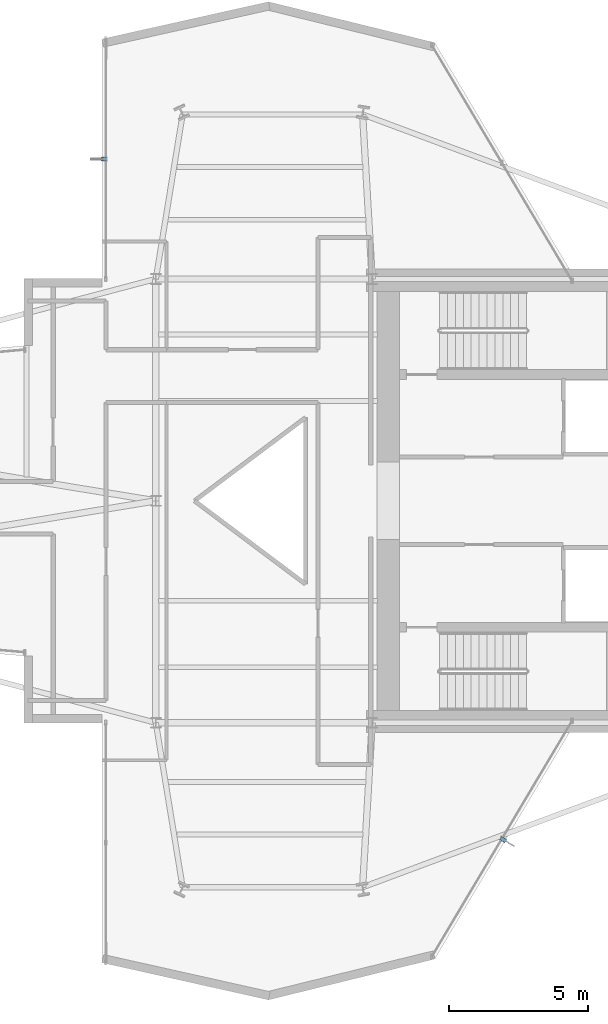
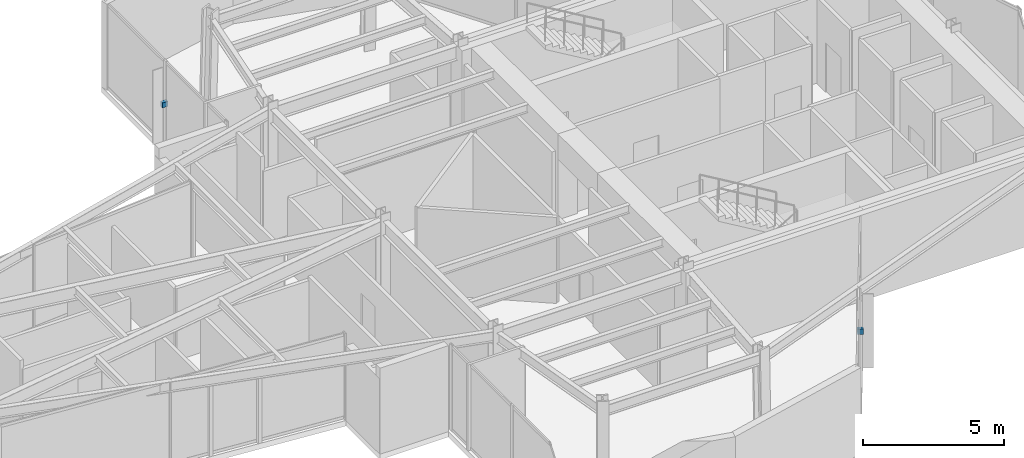
# One storey, part 22 of 23: 2 discrete accessories.
"""IFC4 building model written with IfcOpenShell, lengths in metres."""

import ifcopenshell
import ifcopenshell.guid

model = None  # the IFC model being written
_history = None  # IfcOwnerHistory: only IFC2X3 demands one
_inside = {}  # id of a spatial element -> (the spatial element, [elements in it])
_under = {}  # id of a project, library or spatial element -> (it, [spatial elements below it])
_declared = {}  # id of a project -> (the project, [libraries it declares])
_typed = {}  # id of a type object -> (the type object, [elements of that type])
_made_of = {}  # id of a material, layer set ... -> (it, [elements and type objects made of it])


def new_model(schema):
    """Start an empty IFC model of exactly this schema.

    Asked for "IFC4X3", IfcOpenShell would pick the latest addendum, in which some entities
    have other attributes; the version numbers below select the first issue.
    IFC2X3 requires an IfcOwnerHistory on every rooted entity: one is made here for all.
    """
    global model, _history
    if schema == "IFC4X3":
        model = ifcopenshell.file(schema_version=(4, 3, 0, 0))
    else:
        model = ifcopenshell.file(schema=schema)
    _inside.clear()
    _under.clear()
    _declared.clear()
    _typed.clear()
    _made_of.clear()
    _history = None
    if model.schema == "IFC2X3":
        org = make("IfcOrganization", Name="unknown")
        user = make(
            "IfcPersonAndOrganization",
            ThePerson=make("IfcPerson", FamilyName="unknown"),
            TheOrganization=org,
        )
        app = make(
            "IfcApplication",
            ApplicationDeveloper=org,
            Version="unknown",
            ApplicationFullName="unknown",
            ApplicationIdentifier="unknown",
        )
        _history = make(
            "IfcOwnerHistory",
            OwningUser=user,
            OwningApplication=app,
            ChangeAction="ADDED",
            CreationDate=0,
        )
    return model


def make(cls, **values):
    """One entity of the class cls with the attributes given. An attribute that is None is left unset."""
    return model.create_entity(
        cls, **{name: value for name, value in values.items() if value is not None}
    )


def rooted(cls, **values):
    """An entity with a GlobalId (a new one), such as an element, a storey or a relation."""
    return make(cls, GlobalId=ifcopenshell.guid.new(), OwnerHistory=_history, **values)


def si_unit(unit_type, name, prefix=None):
    """IfcSIUnit, for example si_unit("LENGTHUNIT", "METRE", prefix="MILLI")."""
    return make("IfcSIUnit", UnitType=unit_type, Prefix=prefix, Name=name)


def assignment(units):
    """IfcUnitAssignment: the units of a project."""
    return None if units is None else make("IfcUnitAssignment", Units=units)


def point(xyz):
    """IfcCartesianPoint."""
    return None if xyz is None else make("IfcCartesianPoint", Coordinates=xyz)


def direction(xyz):
    """IfcDirection."""
    return None if xyz is None else make("IfcDirection", DirectionRatios=xyz)


def frame(location, z_axis=None, x_axis=None):
    """IfcAxis2Placement3D, a coordinate frame: its origin and axes. An axis left out is left unset."""
    return make(
        "IfcAxis2Placement3D",
        Location=point(location),
        Axis=direction(z_axis),
        RefDirection=direction(x_axis),
    )


def frame_2d(location, x_axis=None):
    """IfcAxis2Placement2D, a coordinate frame in the plane: its origin and x axis."""
    return make(
        "IfcAxis2Placement2D", Location=point(location), RefDirection=direction(x_axis)
    )


def origin():
    """The frame at (0, 0, 0) with its axes left unset."""
    return frame((0.0, 0.0, 0.0))


def origin_2d():
    """The frame at (0, 0) in the plane with its x axis left unset."""
    return frame_2d((0.0, 0.0))


def place(relative_to, where):
    """IfcLocalPlacement: puts the frame where relative to a parent placement (None: the world)."""
    return make(
        "IfcLocalPlacement", PlacementRelTo=relative_to, RelativePlacement=where
    )


def context(
    kind, dimensions, precision=None, world=None, true_north=None, identifier=None
):
    """IfcGeometricRepresentationContext, for example the 3D "Model" context."""
    return make(
        "IfcGeometricRepresentationContext",
        ContextIdentifier=identifier,
        ContextType=kind,
        CoordinateSpaceDimension=dimensions,
        Precision=precision,
        WorldCoordinateSystem=world,
        TrueNorth=true_north,
    )


def subcontext(parent, identifier, kind, view, scale=None):
    """IfcGeometricRepresentationSubContext, for example "Body" below "Model"."""
    return make(
        "IfcGeometricRepresentationSubContext",
        ContextIdentifier=identifier,
        ContextType=kind,
        ParentContext=parent,
        TargetScale=scale,
        TargetView=view,
    )


def project(units=None, contexts=None):
    """IfcProject with its units and contexts."""
    return rooted(
        "IfcProject",
        Name="project",
        RepresentationContexts=contexts,
        UnitsInContext=assignment(units),
    )


def spatial(cls, under=None, at=None, **own):
    """A site, building, storey or space (cls), placed at a placement, below another one or the project."""
    s = rooted(cls, ObjectPlacement=at, **own)
    if under is not None:
        _under.setdefault(under.id(), (under, []))[1].append(s)
    return s


def profile(cls, at=None, kind="AREA", **sizes):
    """A parametric profile (cls). Its sizes go by their IFC names, for example OverallWidth=200.0."""
    return make(cls, ProfileType=kind, Position=at, **sizes)


def rectangle(**sizes):
    """IfcRectangleProfileDef."""
    return profile("IfcRectangleProfileDef", **sizes)


def extrude(swept, where, along, depth):
    """IfcExtrudedAreaSolid: the profile swept, set in the frame where, extruded along a direction by depth."""
    return make(
        "IfcExtrudedAreaSolid",
        SweptArea=swept,
        Position=where,
        ExtrudedDirection=direction(along),
        Depth=depth,
    )


def shape(context_of_items, identifier, shape_type, items):
    """IfcShapeRepresentation: the items that make up one representation, for example the "Body"."""
    return make(
        "IfcShapeRepresentation",
        ContextOfItems=context_of_items,
        RepresentationIdentifier=identifier,
        RepresentationType=shape_type,
        Items=items,
    )


def material(Name=None, Category=None):
    """IfcMaterial."""
    return make("IfcMaterial", Name=Name, Category=Category)


def layer(
    of_material, thickness, ventilated=None, Name=None, Category=None, Priority=None
):
    """IfcMaterialLayer: one layer of a wall or slab, of a material (None: an air gap)."""
    return make(
        "IfcMaterialLayer",
        Material=of_material,
        LayerThickness=thickness,
        IsVentilated=ventilated,
        Name=Name,
        Category=Category,
        Priority=Priority,
    )


def layer_set(layers, Name=None):
    """IfcMaterialLayerSet."""
    return make("IfcMaterialLayerSet", MaterialLayers=layers, LayerSetName=Name)


def made_of(thing, what):
    """Note that an element or type object is made of a material, layer set ...; save() writes the relation."""
    if what is not None:
        _made_of.setdefault(what.id(), (what, []))[1].append(thing)
    return thing


def type_object(cls, material=None, **own):
    """A type object (cls), such as IfcWallType, which elements share."""
    return made_of(rooted(cls, **own), material)


def element(
    cls,
    number,
    at=None,
    inside=None,
    cuts=None,
    type_object=None,
    material=None,
    context=None,
    identifier="Body",
    shape_type=None,
    held_by="IfcProductDefinitionShape",
    body=None,
    shapes=None,
    **own,
):
    """One element of the class cls, such as IfcWall. Its Tag is "e" and its number.

    at: its placement. inside: the storey or other place that contains it. cuts: it is an
    opening in that element (IfcRelVoidsElement). A single representation is given by context,
    identifier, shape_type and body (its items); several are given by shapes. held_by: the class
    of the entity that holds the representations. save() writes the other relations.
    """
    e = rooted(cls, Tag="e%d" % number, ObjectPlacement=at, **own)
    if body is not None:
        shapes = [shape(context, identifier, shape_type, body)]
    if shapes is not None:
        e.Representation = make(held_by, Representations=shapes)
    if inside is not None:
        _inside.setdefault(inside.id(), (inside, []))[1].append(e)
    if cuts is not None:
        rooted(
            "IfcRelVoidsElement", RelatingBuildingElement=cuts, RelatedOpeningElement=e
        )
    if type_object is not None:
        _typed.setdefault(type_object.id(), (type_object, []))[1].append(e)
    return made_of(e, material)


def aggregate(whole, parts):
    """IfcRelAggregates: a whole, such as a stair, and the parts it consists of."""
    return rooted("IfcRelAggregates", RelatingObject=whole, RelatedObjects=parts)


def save(model, path):
    """Write the relations noted so far, then the file.

    IfcRelAggregates (storeys below a building ...), IfcRelContainedInSpatialStructure (elements
    in a storey), IfcRelDefinesByType, IfcRelAssociatesMaterial and IfcRelDeclares: one each for
    every whole, place, type object, material and project.
    """
    for whole, parts in _under.values():
        aggregate(whole, parts)
    for where, things in _inside.values():
        rooted(
            "IfcRelContainedInSpatialStructure",
            RelatedElements=things,
            RelatingStructure=where,
        )
    for kind, things in _typed.values():
        rooted("IfcRelDefinesByType", RelatedObjects=things, RelatingType=kind)
    for what, things in _made_of.values():
        rooted("IfcRelAssociatesMaterial", RelatedObjects=things, RelatingMaterial=what)
    for by, libraries in _declared.values():
        rooted("IfcRelDeclares", RelatingContext=by, RelatedDefinitions=libraries)
    model.write(path)


model = new_model("IFC4")

# Units and contexts
model_context = context("Model", 3, precision=1e-05, world=origin(), true_north=direction((0.0, 1.0)))
body_context = subcontext(model_context, "Body", "Model", "MODEL_VIEW")
ifc_project = project(units=[si_unit("LENGTHUNIT", "METRE"), si_unit("AREAUNIT", "SQUARE_METRE"), si_unit("VOLUMEUNIT", "CUBIC_METRE"), si_unit("PLANEANGLEUNIT", "RADIAN"), si_unit("MASSUNIT", "GRAM", prefix="KILO")], contexts=[model_context])

# Site, building, storey
site_placement = place(None, origin())
site = spatial("IfcSite", under=ifc_project, at=site_placement, CompositionType="ELEMENT")
building_placement = place(site_placement, origin())
building = spatial("IfcBuilding", under=site, at=building_placement, Name="Veymaron Broadcast Tower", CompositionType="ELEMENT")
storey_placement = place(building_placement, frame((0.0, 0.0, 177.60009765625)))
storey = spatial("IfcBuildingStorey", under=building, at=storey_placement, Name="L41", CompositionType="ELEMENT", Elevation=177.60009765625)

# Discrete accessories
ifc_material = material(Name="Austenitic stainless steel AISI 316L", Category="steel")
ifc_layer = layer(ifc_material, 0.1201171875)
ifc_layer_set = layer_set([ifc_layer], Name="Austenitic stainless steel AISI 316L")
discrete_accessory_type = type_object("IfcDiscreteAccessoryType", Name="ACC-BRKT-SS1", PredefinedType="BRACKET", material=ifc_layer_set)
for number, where, z_axis, x_axis, name in (
    (1, (29.3388671875, 36.32080078125, 1.7548828125), (0.0, 0.0, 1.0), (-0.999999844036, 0.000558505332, 0.0), "CW-L41-E8-1 fin bracket 1"),
    (2, (43.724609375, 11.786865234375, 1.7548828125), (0.0, 0.0, 1.0), (0.859424258473, -0.511263086823, 0.0), "CW-L41-E20-1 fin bracket 1"),
):
    element("IfcDiscreteAccessory", number, at=place(storey_placement, frame(where, z_axis=z_axis, x_axis=x_axis)), inside=storey, type_object=discrete_accessory_type, Name=name, PredefinedType="BRACKET", context=body_context, shape_type="SweptSolid", body=[
        extrude(rectangle(XDim=0.219970703125, YDim=0.139892578125, at=origin_2d()), origin(), (0.0, 0.0, 1.0), 0.219970703125),
    ])

save(model, "model.ifc")
